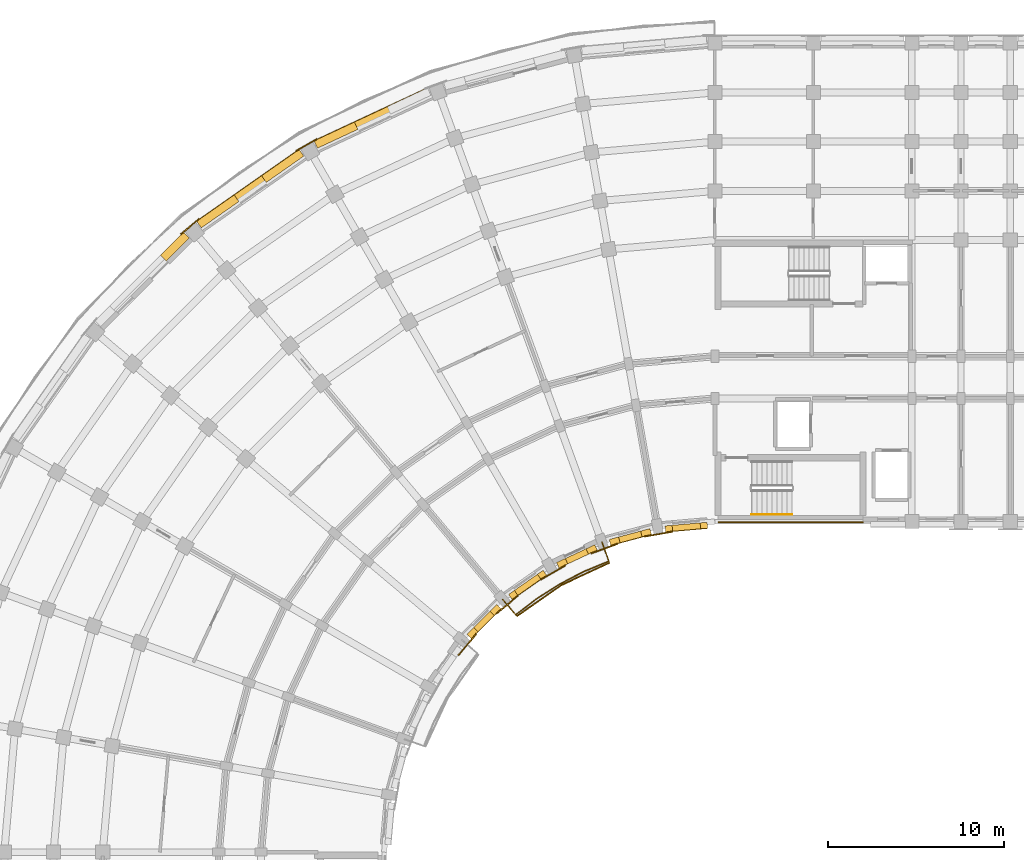
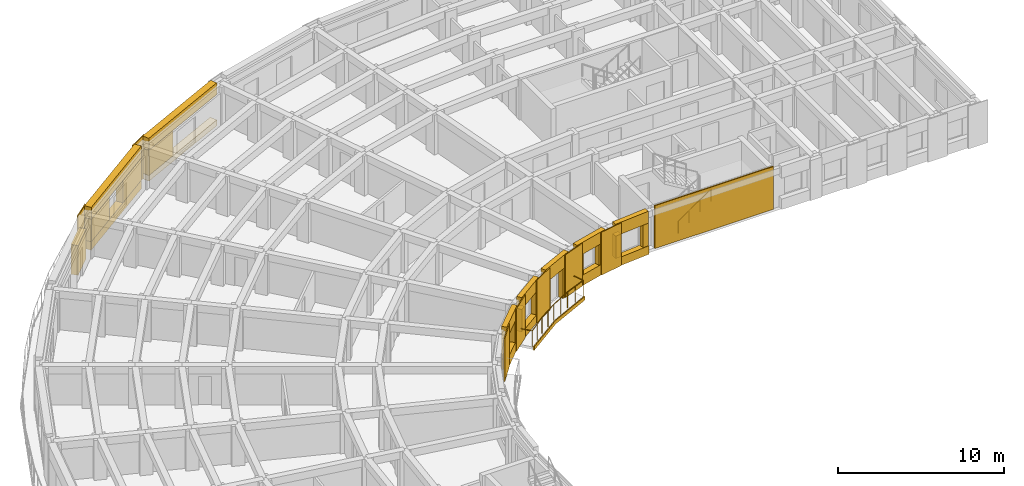
# One storey, part 46 of 54: 36 coverings, 2 railings.
"""IFC4 building model written with IfcOpenShell, lengths in metres."""

from ifc_helpers import new_model, si_unit, direction, frame, origin, origin_2d, place, context, subcontext, project, spatial, polyline, circle, outline, extrude, material, layer, layer_set, type_object, element, save


model = new_model("IFC4")

# Units and contexts
model_context = context("Model", 3, precision=1e-05, world=origin(), true_north=direction((0.0, 1.0)))
body_context = subcontext(model_context, "Body", "Model", "MODEL_VIEW")
ifc_project = project(units=[si_unit("LENGTHUNIT", "METRE"), si_unit("AREAUNIT", "SQUARE_METRE"), si_unit("VOLUMEUNIT", "CUBIC_METRE"), si_unit("PLANEANGLEUNIT", "RADIAN"), si_unit("MASSUNIT", "GRAM", prefix="KILO")], contexts=[model_context])

# Site, building, storey
site_placement = place(None, origin())
site = spatial("IfcSite", under=ifc_project, at=site_placement, CompositionType="ELEMENT")
building_placement = place(site_placement, origin())
building = spatial("IfcBuilding", under=site, at=building_placement, Name="Kiranvali Square Residences", CompositionType="ELEMENT")
storey_placement = place(building_placement, frame((0.0, 0.0, 15.0)))
storey = spatial("IfcBuildingStorey", under=building, at=storey_placement, Name="L04", CompositionType="ELEMENT", Elevation=15.0)

# Coverings
ifc_material_1 = material(Name="Carved Porbandar limestone classical entablature and cornice", Category="masonry")
ifc_layer_1 = layer(ifc_material_1, 0.06201171875)
ifc_layer_set_1 = layer_set([ifc_layer_1], Name="Carved Porbandar limestone classical entablature and cornice")
covering_type_1 = type_object("IfcCoveringType", Name="COV-CLAD-GBAL", PredefinedType="CLADDING", material=ifc_layer_set_1)
covering_1_placement = place(storey_placement, frame((0.0, 0.0, -0.219970703125)))
element("IfcCovering", 1, at=covering_1_placement, inside=storey, type_object=covering_type_1, Name="Block A L04 garden balcony limestone fascia 1", PredefinedType="CLADDING", context=body_context, shape_type="SweptSolid", body=[
    extrude(outline(polyline([(42.1982421875, 104.289794921875), (39.426025390625, 102.9970703125), (36.92041015625, 101.242431640625), (36.964111328125, 101.1904296875), (39.4599609375, 102.938232421875), (42.221435546875, 104.225830078125), (42.1982421875, 104.289794921875)])), origin(), (0.0, 0.0, 1.0), 0.27001953125),
])
ifc_material_2 = material(Name="Honed Porbandar limestone ashlar facade cladding", Category="masonry")
ifc_layer_2 = layer(ifc_material_2, 0.3798828125)
ifc_layer_set_2 = layer_set([ifc_layer_2], Name="Honed Porbandar limestone ashlar facade cladding")
covering_type_2 = type_object("IfcCoveringType", Name="COV-CLAD-JAMB", PredefinedType="CLADDING", material=ifc_layer_set_2)
covering_2_placement = place(storey_placement, frame((0.0, 0.0, 0.422119140625)))
element("IfcCovering", 2, at=covering_2_placement, inside=storey, type_object=covering_type_2, Name="L04 deep limestone window jamb reveal A-L04-CRV-02.R", PredefinedType="CLADDING", context=body_context, shape_type="SweptSolid", body=[
    extrude(outline(polyline([(27.710205078125, 129.315185546875), (25.413330078125, 128.244140625), (25.607666015625, 127.827880859375), (27.904296875, 128.898681640625), (27.710205078125, 129.315185546875)])), origin(), (0.0, 0.0, 1.0), 1.849853515625),
])
covering_3_placement = place(storey_placement, frame((0.0, 0.0, 0.6220703125)))
element("IfcCovering", 3, at=covering_3_placement, inside=storey, type_object=covering_type_2, Name="L04 deep limestone window jamb reveal A-L04-CRV-03.L", PredefinedType="CLADDING", context=body_context, shape_type="SweptSolid", body=[
    extrude(outline(polyline([(24.567626953125, 127.755859375), (22.43017578125, 126.25927734375), (22.69384765625, 125.8828125), (24.8310546875, 127.37939453125), (24.567626953125, 127.755859375)])), origin(), (0.0, 0.0, 1.0), 1.64990234375),
])
covering_4_placement = place(storey_placement, frame((0.0, 0.0, 0.6220703125)))
element("IfcCovering", 4, at=covering_4_placement, inside=storey, type_object=covering_type_2, Name="L04 deep limestone window jamb reveal A-L04-CRV-03.R", PredefinedType="CLADDING", context=body_context, shape_type="SweptSolid", body=[
    extrude(outline(polyline([(20.873779296875, 125.16943359375), (18.736572265625, 123.6728515625), (19.0, 123.296630859375), (21.137451171875, 124.793212890625), (20.873779296875, 125.16943359375)])), origin(), (0.0, 0.0, 1.0), 1.64990234375),
])
covering_5_placement = place(storey_placement, origin())
element("IfcCovering", 5, at=covering_5_placement, inside=storey, type_object=covering_type_2, Name="L04 deep limestone window jamb reveal A-L04-CRV-04.L", PredefinedType="CLADDING", context=body_context, shape_type="SweptSolid", body=[
    extrude(outline(polyline([(17.98828125, 123.045166015625), (16.686279296875, 121.742919921875), (17.01123046875, 121.418212890625), (18.313232421875, 122.72021484375), (17.98828125, 123.045166015625)])), origin(), (0.0, 0.0, 1.0), 2.179931640625),
])
covering_6_placement = place(storey_placement, frame((0.0, 0.0, 0.6220703125)))
element("IfcCovering", 6, at=covering_6_placement, inside=storey, type_object=covering_type_2, Name="L04 deep limestone window jamb reveal A-L04-GDN-00.L", PredefinedType="CLADDING", context=body_context, shape_type="SweptSolid", body=[
    extrude(outline(polyline([(47.76171875, 106.56103515625), (47.36474609375, 106.5263671875), (47.394287109375, 106.188232421875), (47.791259765625, 106.222900390625), (47.76171875, 106.56103515625)])), origin(), (0.0, 0.0, 1.0), 1.64990234375),
])
covering_7_placement = place(storey_placement, frame((0.0, 0.0, 0.6220703125)))
element("IfcCovering", 7, at=covering_7_placement, inside=storey, type_object=covering_type_2, Name="L04 deep limestone window jamb reveal A-L04-GDN-00.R", PredefinedType="CLADDING", context=body_context, shape_type="SweptSolid", body=[
    extrude(outline(polyline([(45.770751953125, 106.386962890625), (45.373779296875, 106.352294921875), (45.4033203125, 106.013916015625), (45.80029296875, 106.048828125), (45.770751953125, 106.386962890625)])), origin(), (0.0, 0.0, 1.0), 1.64990234375),
])
covering_8_placement = place(storey_placement, frame((0.0, 0.0, 0.77197265625)))
element("IfcCovering", 8, at=covering_8_placement, inside=storey, type_object=covering_type_2, Name="L04 deep limestone window jamb reveal A-L04-GDN-01.L", PredefinedType="CLADDING", context=body_context, shape_type="SweptSolid", body=[
    extrude(outline(polyline([(44.510498046875, 106.199951171875), (43.980712890625, 106.05810546875), (44.068603515625, 105.730224609375), (44.598388671875, 105.8720703125), (44.510498046875, 106.199951171875)])), origin(), (0.0, 0.0, 1.0), 1.5),
])
covering_9_placement = place(storey_placement, frame((0.0, 0.0, 0.77197265625)))
element("IfcCovering", 9, at=covering_9_placement, inside=storey, type_object=covering_type_2, Name="L04 deep limestone window jamb reveal A-L04-GDN-01.R", PredefinedType="CLADDING", context=body_context, shape_type="SweptSolid", body=[
    extrude(outline(polyline([(42.72509765625, 105.7216796875), (42.195068359375, 105.57958984375), (42.282958984375, 105.251708984375), (42.812744140625, 105.3935546875), (42.72509765625, 105.7216796875)])), origin(), (0.0, 0.0, 1.0), 1.5),
])
covering_10_placement = place(storey_placement, origin())
element("IfcCovering", 10, at=covering_10_placement, inside=storey, type_object=covering_type_2, Name="L04 deep limestone window jamb reveal A-L04-GDN-02.L", PredefinedType="CLADDING", context=body_context, shape_type="SweptSolid", body=[
    extrude(outline(polyline([(41.37158203125, 105.27978515625), (40.874267578125, 105.048095703125), (41.017822265625, 104.740234375), (41.514892578125, 104.97216796875), (41.37158203125, 105.27978515625)])), origin(), (0.0, 0.0, 1.0), 2.179931640625),
])
covering_11_placement = place(storey_placement, origin())
element("IfcCovering", 11, at=covering_11_placement, inside=storey, type_object=covering_type_2, Name="L04 deep limestone window jamb reveal A-L04-GDN-02.R", PredefinedType="CLADDING", context=body_context, shape_type="SweptSolid", body=[
    extrude(outline(polyline([(39.696044921875, 104.49853515625), (39.198974609375, 104.266845703125), (39.342529296875, 103.958984375), (39.839599609375, 104.19091796875), (39.696044921875, 104.49853515625)])), origin(), (0.0, 0.0, 1.0), 2.179931640625),
])
covering_12_placement = place(storey_placement, frame((0.0, 0.0, 0.6220703125)))
element("IfcCovering", 12, at=covering_12_placement, inside=storey, type_object=covering_type_2, Name="L04 deep limestone window jamb reveal A-L04-GDN-03.L", PredefinedType="CLADDING", context=body_context, shape_type="SweptSolid", body=[
    extrude(outline(polyline([(38.43994140625, 103.828369140625), (38.11328125, 103.599853515625), (38.30810546875, 103.32177734375), (38.634521484375, 103.55029296875), (38.43994140625, 103.828369140625)])), origin(), (0.0, 0.0, 1.0), 1.64990234375),
])
covering_13_placement = place(storey_placement, frame((0.0, 0.0, 0.6220703125)))
element("IfcCovering", 13, at=covering_13_placement, inside=storey, type_object=covering_type_2, Name="L04 deep limestone window jamb reveal A-L04-GDN-03.R", PredefinedType="CLADDING", context=body_context, shape_type="SweptSolid", body=[
    extrude(outline(polyline([(36.802734375, 102.68212890625), (36.476318359375, 102.45361328125), (36.671142578125, 102.175537109375), (36.99755859375, 102.404052734375), (36.802734375, 102.68212890625)])), origin(), (0.0, 0.0, 1.0), 1.64990234375),
])
covering_14_placement = place(storey_placement, frame((0.0, 0.0, 0.77197265625)))
element("IfcCovering", 14, at=covering_14_placement, inside=storey, type_object=covering_type_2, Name="L04 deep limestone window jamb reveal A-L04-GDN-04.L", PredefinedType="CLADDING", context=body_context, shape_type="SweptSolid", body=[
    extrude(outline(polyline([(35.804931640625, 101.89013671875), (35.4169921875, 101.502197265625), (35.656982421875, 101.26220703125), (36.044921875, 101.650146484375), (35.804931640625, 101.89013671875)])), origin(), (0.0, 0.0, 1.0), 1.5),
])
covering_15_placement = place(storey_placement, frame((0.0, 0.0, 0.77197265625)))
element("IfcCovering", 15, at=covering_15_placement, inside=storey, type_object=covering_type_2, Name="L04 deep limestone window jamb reveal A-L04-GDN-04.R", PredefinedType="CLADDING", context=body_context, shape_type="SweptSolid", body=[
    extrude(outline(polyline([(34.497802734375, 100.5830078125), (34.10986328125, 100.195068359375), (34.349853515625, 99.955078125), (34.73779296875, 100.343017578125), (34.497802734375, 100.5830078125)])), origin(), (0.0, 0.0, 1.0), 1.5),
])
ifc_layer_3 = layer(ifc_material_2, 0.06494140625)
ifc_layer_set_3 = layer_set([ifc_layer_3], Name="Honed Porbandar limestone ashlar facade cladding")
covering_type_3 = type_object("IfcCoveringType", Name="COV-CLAD-PIER", PredefinedType="CLADDING", material=ifc_layer_set_3)
covering_16_placement = place(storey_placement, frame((0.0, 0.0, 0.0048828125)))
element("IfcCovering", 16, at=covering_16_placement, inside=storey, type_object=covering_type_3, Name="L04 Classical limestone corner pilaster CLAD-PR-A-L04-A03", PredefinedType="CLADDING", context=body_context, shape_type="SweptSolid", body=[
    extrude(outline(polyline([(25.554931640625, 128.382568359375), (24.377197265625, 127.702392578125), (24.410888671875, 127.64404296875), (25.588623046875, 128.323974609375), (25.554931640625, 128.382568359375)])), origin(), (0.0, 0.0, 1.0), 3.14013671875),
])
covering_17_placement = place(storey_placement, frame((0.0, 0.0, 0.0048828125)))
element("IfcCovering", 17, at=covering_17_placement, inside=storey, type_object=covering_type_3, Name="L04 Classical limestone corner pilaster CLAD-PR-A-L04-A04", PredefinedType="CLADDING", context=body_context, shape_type="SweptSolid", body=[
    extrude(outline(polyline([(18.851806640625, 123.833740234375), (17.81005859375, 122.95947265625), (17.853515625, 122.90771484375), (18.895263671875, 123.781982421875), (18.851806640625, 123.833740234375)])), origin(), (0.0, 0.0, 1.0), 3.14013671875),
])
covering_18_placement = place(storey_placement, frame((0.0, 0.0, 0.0048828125)))
element("IfcCovering", 18, at=covering_18_placement, inside=storey, type_object=covering_type_3, Name="Block A L04 garden stair limestone ashlar cladding", PredefinedType="CLADDING", context=body_context, shape_type="SweptSolid", body=[
    extrude(outline(polyline([(48.39990234375, 106.52001953125), (56.64990234375, 106.52001953125), (56.64990234375, 106.597900390625), (48.39990234375, 106.597900390625), (48.39990234375, 106.52001953125)])), origin(), (0.0, 0.0, 1.0), 3.14013671875),
])
ifc_layer_4 = layer(ifc_material_2, 0.050048828125)
ifc_layer_set_4 = layer_set([ifc_layer_4], Name="Honed Porbandar limestone ashlar facade cladding")
covering_type_4 = type_object("IfcCoveringType", Name="COV-CLAD-PIER-IN", PredefinedType="CLADDING", material=ifc_layer_set_4)
covering_19_placement = place(storey_placement, frame((0.0, 0.0, 0.0048828125)))
element("IfcCovering", 19, at=covering_19_placement, inside=storey, type_object=covering_type_4, Name="L04 Classical garden courtyard pilaster CLAD-PRIN-A-L04-A01", PredefinedType="CLADDING", context=body_context, shape_type="SweptSolid", body=[
    extrude(outline(polyline([(44.228759765625, 105.714599609375), (45.804443359375, 105.992431640625), (45.792724609375, 106.058837890625), (44.217041015625, 105.781005859375), (44.228759765625, 105.714599609375)])), origin(), (0.0, 0.0, 1.0), 3.14013671875),
])
covering_20_placement = place(storey_placement, frame((0.0, 0.0, 0.0048828125)))
element("IfcCovering", 20, at=covering_20_placement, inside=storey, type_object=covering_type_4, Name="L04 Classical garden courtyard pilaster CLAD-PRIN-A-L04-A02", PredefinedType="CLADDING", context=body_context, shape_type="SweptSolid", body=[
    extrude(outline(polyline([(41.17822265625, 104.7529296875), (42.681884765625, 105.300048828125), (42.65869140625, 105.363525390625), (41.1552734375, 104.816162109375), (41.17822265625, 104.7529296875)])), origin(), (0.0, 0.0, 1.0), 3.14013671875),
])
covering_21_placement = place(storey_placement, frame((0.0, 0.0, 0.0048828125)))
element("IfcCovering", 21, at=covering_21_placement, inside=storey, type_object=covering_type_4, Name="L04 Classical garden courtyard pilaster CLAD-PRIN-A-L04-A03", PredefinedType="CLADDING", context=body_context, shape_type="SweptSolid", body=[
    extrude(outline(polyline([(38.341064453125, 103.27587890625), (39.726806640625, 104.075927734375), (39.693115234375, 104.134521484375), (38.307373046875, 103.33447265625), (38.341064453125, 103.27587890625)])), origin(), (0.0, 0.0, 1.0), 3.14013671875),
])
covering_22_placement = place(storey_placement, frame((0.0, 0.0, 0.0048828125)))
element("IfcCovering", 22, at=covering_22_placement, inside=storey, type_object=covering_type_4, Name="L04 Classical garden courtyard pilaster CLAD-PRIN-A-L04-A04", PredefinedType="CLADDING", context=body_context, shape_type="SweptSolid", body=[
    extrude(outline(polyline([(35.803466796875, 101.328857421875), (37.029296875, 102.357421875), (36.98583984375, 102.4091796875), (35.76025390625, 101.380615234375), (35.803466796875, 101.328857421875)])), origin(), (0.0, 0.0, 1.0), 3.14013671875),
])
covering_23_placement = place(storey_placement, frame((0.0, 0.0, 0.0048828125)))
element("IfcCovering", 23, at=covering_23_placement, inside=storey, type_object=covering_type_4, Name="L04 Classical garden courtyard pilaster CLAD-PRIN-A-L04-A05", PredefinedType="CLADDING", context=body_context, shape_type="SweptSolid", body=[
    extrude(outline(polyline([(33.642578125, 98.970703125), (34.671142578125, 100.196533203125), (34.619384765625, 100.23974609375), (33.5908203125, 99.01416015625), (33.642578125, 98.970703125)])), origin(), (0.0, 0.0, 1.0), 3.14013671875),
])
ifc_layer_5 = layer(ifc_material_2, 0.360107421875)
ifc_layer_set_5 = layer_set([ifc_layer_5], Name="Honed Porbandar limestone ashlar facade cladding")
covering_type_5 = type_object("IfcCoveringType", Name="COV-CLAD-WALL", PredefinedType="CLADDING", material=ifc_layer_set_5)
covering_24_placement = place(storey_placement, frame((0.0, 0.0, 2.27197265625)))
element("IfcCovering", 24, at=covering_24_placement, inside=storey, type_object=covering_type_5, Name="L04 light limestone spandrel lintel A-L04-CRV-02", PredefinedType="CLADDING", context=body_context, shape_type="SweptSolid", body=[
    extrude(outline(polyline([(31.86474609375, 131.252685546875), (25.413330078125, 128.244140625), (25.607666015625, 127.827880859375), (32.05908203125, 130.836181640625), (31.86474609375, 131.252685546875)])), origin(), (0.0, 0.0, 1.0), 0.873046875),
])
covering_25_placement = place(storey_placement, frame((0.0, 0.0, 0.0048828125)))
element("IfcCovering", 25, at=covering_25_placement, inside=storey, type_object=covering_type_5, Name="L04 limestone window sill apron A-L04-CRV-02", PredefinedType="CLADDING", context=body_context, shape_type="SweptSolid", body=[
    extrude(outline(polyline([(31.85205078125, 131.27978515625), (25.40087890625, 128.271484375), (25.607666015625, 127.827880859375), (32.05908203125, 130.836181640625), (31.85205078125, 131.27978515625)])), origin(), (0.0, 0.0, 1.0), 0.417236328125),
])
covering_26_placement = place(storey_placement, frame((0.0, 0.0, 2.27197265625)))
element("IfcCovering", 26, at=covering_26_placement, inside=storey, type_object=covering_type_5, Name="L04 light limestone spandrel lintel A-L04-CRV-03", PredefinedType="CLADDING", context=body_context, shape_type="SweptSolid", body=[
    extrude(outline(polyline([(24.567626953125, 127.755859375), (18.736572265625, 123.6728515625), (19.0, 123.296630859375), (24.8310546875, 127.37939453125), (24.567626953125, 127.755859375)])), origin(), (0.0, 0.0, 1.0), 0.873046875),
])
covering_27_placement = place(storey_placement, frame((0.0, 0.0, 0.0048828125)))
element("IfcCovering", 27, at=covering_27_placement, inside=storey, type_object=covering_type_5, Name="L04 limestone window sill apron A-L04-CRV-03", PredefinedType="CLADDING", context=body_context, shape_type="SweptSolid", body=[
    extrude(outline(polyline([(24.55029296875, 127.780517578125), (18.71923828125, 123.697509765625), (19.0, 123.296630859375), (24.8310546875, 127.37939453125), (24.55029296875, 127.780517578125)])), origin(), (0.0, 0.0, 1.0), 0.6171875),
])
covering_28_placement = place(storey_placement, frame((0.0, 0.0, 2.27197265625)))
element("IfcCovering", 28, at=covering_28_placement, inside=storey, type_object=covering_type_5, Name="L04 light limestone spandrel lintel A-L04-GDN-00", PredefinedType="CLADDING", context=body_context, shape_type="SweptSolid", body=[
    extrude(outline(polyline([(47.76171875, 106.56103515625), (45.373779296875, 106.352294921875), (45.4033203125, 106.013916015625), (47.791259765625, 106.222900390625), (47.76171875, 106.56103515625)])), origin(), (0.0, 0.0, 1.0), 0.873046875),
])
covering_29_placement = place(storey_placement, frame((0.0, 0.0, 2.27197265625)))
element("IfcCovering", 29, at=covering_29_placement, inside=storey, type_object=covering_type_5, Name="L04 light limestone spandrel lintel A-L04-GDN-01", PredefinedType="CLADDING", context=body_context, shape_type="SweptSolid", body=[
    extrude(outline(polyline([(44.510498046875, 106.199951171875), (42.195068359375, 105.57958984375), (42.282958984375, 105.251708984375), (44.598388671875, 105.8720703125), (44.510498046875, 106.199951171875)])), origin(), (0.0, 0.0, 1.0), 0.873046875),
])
covering_30_placement = place(storey_placement, frame((0.0, 0.0, 2.179931640625)))
element("IfcCovering", 30, at=covering_30_placement, inside=storey, type_object=covering_type_5, Name="L04 light limestone spandrel lintel A-L04-GDN-02", PredefinedType="CLADDING", context=body_context, shape_type="SweptSolid", body=[
    extrude(outline(polyline([(41.37158203125, 105.27978515625), (39.198974609375, 104.266845703125), (39.342529296875, 103.958984375), (41.514892578125, 104.97216796875), (41.37158203125, 105.27978515625)])), origin(), (0.0, 0.0, 1.0), 0.965087890625),
])
covering_31_placement = place(storey_placement, frame((0.0, 0.0, 2.27197265625)))
element("IfcCovering", 31, at=covering_31_placement, inside=storey, type_object=covering_type_5, Name="L04 light limestone spandrel lintel A-L04-GDN-03", PredefinedType="CLADDING", context=body_context, shape_type="SweptSolid", body=[
    extrude(outline(polyline([(38.43994140625, 103.828369140625), (36.476318359375, 102.45361328125), (36.671142578125, 102.175537109375), (38.634521484375, 103.55029296875), (38.43994140625, 103.828369140625)])), origin(), (0.0, 0.0, 1.0), 0.873046875),
])
covering_32_placement = place(storey_placement, frame((0.0, 0.0, 2.27197265625)))
element("IfcCovering", 32, at=covering_32_placement, inside=storey, type_object=covering_type_5, Name="L04 light limestone spandrel lintel A-L04-GDN-04", PredefinedType="CLADDING", context=body_context, shape_type="SweptSolid", body=[
    extrude(outline(polyline([(35.804931640625, 101.89013671875), (34.10986328125, 100.195068359375), (34.349853515625, 99.955078125), (36.044921875, 101.650146484375), (35.804931640625, 101.89013671875)])), origin(), (0.0, 0.0, 1.0), 0.873046875),
])
ifc_layer_6 = layer(ifc_material_2, 0.2900390625)
ifc_layer_set_6 = layer_set([ifc_layer_6], Name="Honed Porbandar limestone ashlar facade cladding")
covering_type_6 = type_object("IfcCoveringType", Name="COV-CLAD-WALL-IN", PredefinedType="CLADDING", material=ifc_layer_set_6)
covering_33_placement = place(storey_placement, frame((0.0, 0.0, 0.0048828125)))
element("IfcCovering", 33, at=covering_33_placement, inside=storey, type_object=covering_type_6, Name="L04 limestone window sill apron A-L04-GDN-00", PredefinedType="CLADDING", context=body_context, shape_type="SweptSolid", body=[
    extrude(outline(polyline([(47.76171875, 106.56103515625), (45.373779296875, 106.352294921875), (45.406005859375, 105.984130859375), (47.7939453125, 106.193115234375), (47.76171875, 106.56103515625)])), origin(), (0.0, 0.0, 1.0), 0.6171875),
])
covering_34_placement = place(storey_placement, frame((0.0, 0.0, 0.0048828125)))
element("IfcCovering", 34, at=covering_34_placement, inside=storey, type_object=covering_type_6, Name="L04 limestone window sill apron A-L04-GDN-01", PredefinedType="CLADDING", context=body_context, shape_type="SweptSolid", body=[
    extrude(outline(polyline([(44.510498046875, 106.199951171875), (42.195068359375, 105.57958984375), (42.290771484375, 105.22265625), (44.606201171875, 105.843017578125), (44.510498046875, 106.199951171875)])), origin(), (0.0, 0.0, 1.0), 0.76708984375),
])
covering_35_placement = place(storey_placement, frame((0.0, 0.0, 0.0048828125)))
element("IfcCovering", 35, at=covering_35_placement, inside=storey, type_object=covering_type_6, Name="L04 limestone window sill apron A-L04-GDN-03", PredefinedType="CLADDING", context=body_context, shape_type="SweptSolid", body=[
    extrude(outline(polyline([(38.43994140625, 103.828369140625), (36.476318359375, 102.45361328125), (36.688232421875, 102.15087890625), (38.65185546875, 103.52587890625), (38.43994140625, 103.828369140625)])), origin(), (0.0, 0.0, 1.0), 0.6171875),
])
covering_36_placement = place(storey_placement, frame((0.0, 0.0, 0.0048828125)))
element("IfcCovering", 36, at=covering_36_placement, inside=storey, type_object=covering_type_6, Name="L04 limestone window sill apron A-L04-GDN-04", PredefinedType="CLADDING", context=body_context, shape_type="SweptSolid", body=[
    extrude(outline(polyline([(35.804931640625, 101.89013671875), (34.10986328125, 100.195068359375), (34.37109375, 99.933837890625), (36.066162109375, 101.62890625), (35.804931640625, 101.89013671875)])), origin(), (0.0, 0.0, 1.0), 0.76708984375),
])

# Railings
ifc_material_3 = material(Name="Powder-coated architectural bronze balustrade", Category="steel")
railing_type_1 = type_object("IfcRailingType", Name="RL-BAL-GOLD-1200", PredefinedType="BALUSTRADE", material=ifc_material_3)
railing_1_placement = place(storey_placement, frame((41.78369140625, 105.4287109375, 0.0)))
element("IfcRailing", 37, at=railing_1_placement, inside=storey, type_object=railing_type_1, Name="Block A L04 garden balcony gold balustrade 1", PredefinedType="BALUSTRADE", context=body_context, shape_type="SweptSolid", body=[
    extrude(circle(Radius=0.02392578125, at=origin_2d()), frame((0.0, 0.0, 1.17578125), z_axis=(0.341964618562, -0.939712828289, 0.0), x_axis=(0.939712828289, 0.341964618562, 0.0)), (0.0, 0.0, 1.0), 1.150146484375),
    extrude(circle(Radius=0.02392578125, at=origin_2d()), frame((0.393310546875, -1.080810546875, 1.17578125), z_axis=(-0.923892883829, -0.382651197843, 0.0), x_axis=(0.382651197843, -0.923892883829, 0.0)), (0.0, 0.0, 1.0), 1.536376953125),
    extrude(circle(Radius=0.02392578125, at=origin_2d()), frame((-1.026123046875, -1.668701171875, 1.17578125), z_axis=(-0.887029366154, -0.461713009976, 0.0), x_axis=(0.461713009976, -0.887029366154, 0.0)), (0.0, 0.0, 1.0), 1.5361328125),
    extrude(circle(Radius=0.02392578125, at=origin_2d()), frame((-2.388671875, -2.3779296875, 1.17578125), z_axis=(-0.843386539688, -0.537307309343, 0.0), x_axis=(0.537307309343, -0.843386539688, 0.0)), (0.0, 0.0, 1.0), 1.5361328125),
    extrude(circle(Radius=0.02392578125, at=origin_2d()), frame((-3.684326171875, -3.203369140625, 1.17578125), z_axis=(-0.793314680996, -0.608811807471, 0.0), x_axis=(0.608811807471, -0.793314680996, 0.0)), (0.0, 0.0, 1.0), 1.536376953125),
    extrude(circle(Radius=0.02392578125, at=origin_2d()), frame((-4.903076171875, -4.138671875, 1.17578125), z_axis=(-0.642853454051, 0.765989188314, 0.0), x_axis=(-0.765989188314, -0.642853454051, 0.0)), (0.0, 0.0, 1.0), 1.14990234375),
    extrude(circle(Radius=0.02099609375, at=origin_2d()), origin(), (0.0, 0.0, 1.0), 1.15185546875),
    extrude(circle(Radius=0.02099609375, at=origin_2d()), frame((0.393310546875, -1.080810546875, 0.0)), (0.0, 0.0, 1.0), 1.15185546875),
    extrude(circle(Radius=0.02099609375, at=origin_2d()), frame((-0.31640625, -1.374755859375, 0.0)), (0.0, 0.0, 1.0), 1.15185546875),
    extrude(circle(Radius=0.02099609375, at=origin_2d()), frame((-1.026123046875, -1.668701171875, 0.0)), (0.0, 0.0, 1.0), 1.15185546875),
    extrude(circle(Radius=0.02099609375, at=origin_2d()), frame((-1.70751953125, -2.0234375, 0.0)), (0.0, 0.0, 1.0), 1.15185546875),
    extrude(circle(Radius=0.02099609375, at=origin_2d()), frame((-2.388671875, -2.3779296875, 0.0)), (0.0, 0.0, 1.0), 1.15185546875),
    extrude(circle(Radius=0.02099609375, at=origin_2d()), frame((-3.03662109375, -2.79052734375, 0.0)), (0.0, 0.0, 1.0), 1.15185546875),
    extrude(circle(Radius=0.02099609375, at=origin_2d()), frame((-3.684326171875, -3.203369140625, 0.0)), (0.0, 0.0, 1.0), 1.15185546875),
    extrude(circle(Radius=0.02099609375, at=origin_2d()), frame((-4.293701171875, -3.6708984375, 0.0)), (0.0, 0.0, 1.0), 1.15185546875),
    extrude(circle(Radius=0.02099609375, at=origin_2d()), frame((-4.903076171875, -4.138671875, 0.0)), (0.0, 0.0, 1.0), 1.15185546875),
    extrude(circle(Radius=0.02099609375, at=origin_2d()), frame((-5.642333984375, -3.2578125, 0.0)), (0.0, 0.0, 1.0), 1.15185546875),
])
ifc_material_4 = material(Name="Brushed stainless steel tubular handrail", Category="steel")
railing_type_2 = type_object("IfcRailingType", Name="RL-HANDRAIL-900", PredefinedType="HANDRAIL", material=ifc_material_4)
railing_2_placement = place(storey_placement, frame((50.300048828125, 107.0, 0.175048828125)))
element("IfcRailing", 38, at=railing_2_placement, inside=storey, type_object=railing_type_2, Name="L04 ST-A2 stair handrail 1", PredefinedType="HANDRAIL", context=body_context, shape_type="SweptSolid", body=[
    extrude(circle(Radius=0.02392578125, at=origin_2d()), frame((0.0, 0.0, 0.8759765625), z_axis=(0.82278801735, 0.0, 0.568348377763), x_axis=(0.0, 1.0, 0.0)), (0.0, 0.0, 1.0), 2.77099609375),
    extrude(circle(Radius=0.02099609375, at=origin_2d()), origin(), (0.0, 0.0, 1.0), 0.851806640625),
    extrude(circle(Radius=0.02099609375, at=origin_2d()), frame((0.760009765625, 0.0, 0.52490234375)), (0.0, 0.0, 1.0), 0.851806640625),
    extrude(circle(Radius=0.02099609375, at=origin_2d()), frame((1.52001953125, 0.0, 1.050048828125)), (0.0, 0.0, 1.0), 0.851806640625),
    extrude(circle(Radius=0.02099609375, at=origin_2d()), frame((2.280029296875, 0.0, 1.574951171875)), (0.0, 0.0, 1.0), 0.851806640625),
])

save(model, "model.ifc")
